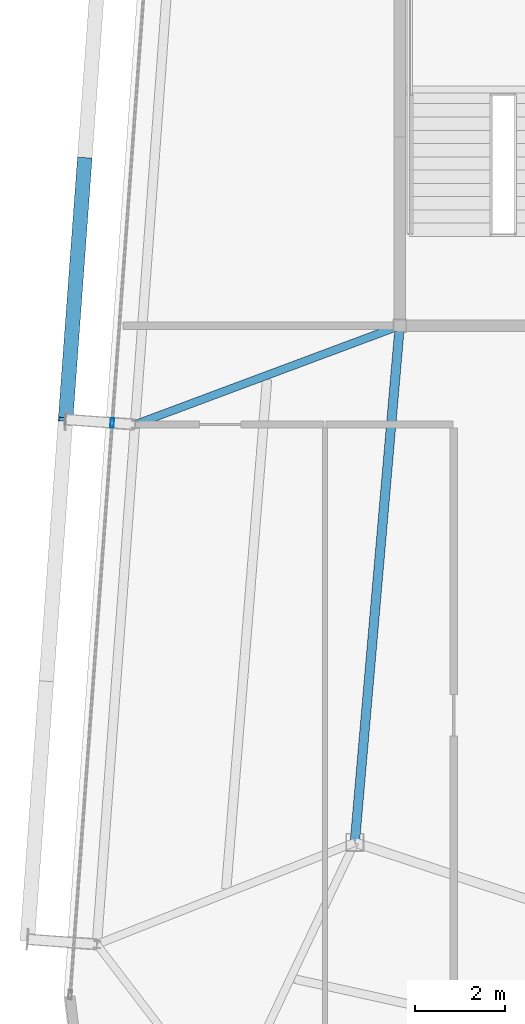
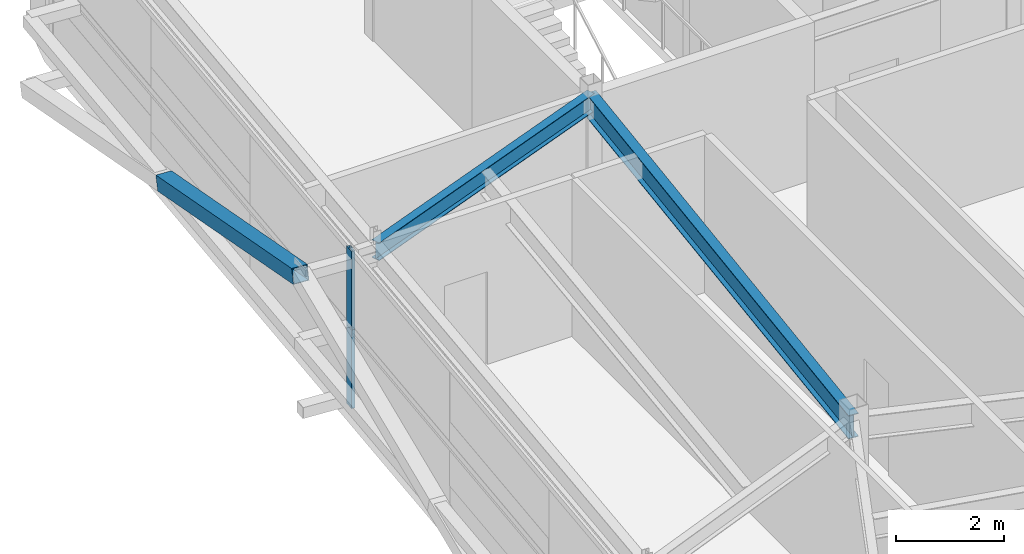
# One storey, part 13 of 35: 3 members, 2 beams, 2 elements without a shape of their own.
"""IFC4 building model written with IfcOpenShell, lengths in metres."""

from ifc_helpers import new_model, si_unit, direction, frame, origin, origin_2d, place, context, subcontext, project, spatial, hollow_rectangle, i_section, extrude, source, transform, mapped, material, layer, layer_set, material_profile, profile_set, type_object, element, aggregate, save


model = new_model("IFC4")

# Units and contexts
model_context = context("Model", 3, precision=1e-05, world=origin(), true_north=direction((0.0, 1.0)))
body_context = subcontext(model_context, "Body", "Model", "MODEL_VIEW")
ifc_project = project(units=[si_unit("LENGTHUNIT", "METRE"), si_unit("AREAUNIT", "SQUARE_METRE"), si_unit("VOLUMEUNIT", "CUBIC_METRE"), si_unit("PLANEANGLEUNIT", "RADIAN"), si_unit("MASSUNIT", "GRAM", prefix="KILO")], contexts=[model_context])

# Site, building, storey
site_placement = place(None, origin())
site = spatial("IfcSite", under=ifc_project, at=site_placement, CompositionType="ELEMENT")
building_placement = place(site_placement, origin())
building = spatial("IfcBuilding", under=site, at=building_placement, Name="Taldren Reach Tower", CompositionType="ELEMENT")
storey_placement = place(building_placement, frame((0.0, 0.0, 249.199951171875)))
storey = spatial("IfcBuildingStorey", under=building, at=storey_placement, Name="L76", CompositionType="ELEMENT", Elevation=249.199951171875)

# Beams
ifc_material_1 = material(Name="Steel Gr 350 (350PLUS)", Category="steel")
ifc_material_profile_1 = material_profile(ifc_material_1, i_section(OverallWidth=0.208984375, OverallDepth=0.532958984375, WebThickness=0.01025390625, FlangeThickness=0.015625, at=origin_2d()), Name="530UB92.4")
ifc_profile_set_1 = profile_set([ifc_material_profile_1], Name="Steel Gr 350 (350PLUS)")
beam_type_1 = type_object("IfcBeamType", Name="BM-UB530A", PredefinedType="BEAM", material=ifc_profile_set_1)
shared_shape_1 = source(origin(), body_context, "Body", "SweptSolid", [
    extrude(i_section(OverallWidth=0.208984375, OverallDepth=0.532958984375, WebThickness=0.01025390625, FlangeThickness=0.015625, at=origin_2d()), origin(), (0.0, 0.0, 1.0), 11.54345703125),
])
beam_1_placement = place(storey_placement, frame((19.0, 24.0, 3.303466796875), z_axis=(-0.086629616365, -0.996240588196, 0.0), x_axis=(0.996240588196, -0.086629616365, 0.0)))
element("IfcBeam", 1, at=beam_1_placement, inside=storey, type_object=beam_type_1, Name="Core-spine girder L76-SP09", PredefinedType="BEAM", context=body_context, shape_type="MappedRepresentation", body=[
    mapped(shared_shape_1, transform((0.0, 0.0, 0.0), scale=1.0)),
])
ifc_material_profile_2 = material_profile(ifc_material_1, i_section(OverallWidth=0.177978515625, OverallDepth=0.406005859375, WebThickness=0.0078125, FlangeThickness=0.0126953125, at=origin_2d()), Name="410UB59.7")
ifc_profile_set_2 = profile_set([ifc_material_profile_2], Name="Steel Gr 350 (350PLUS)")
beam_type_2 = type_object("IfcBeamType", Name="BM-UB410", PredefinedType="BEAM", material=ifc_profile_set_2)
shared_shape_2 = source(origin(), body_context, "Body", "SweptSolid", [
    extrude(i_section(OverallWidth=0.177978515625, OverallDepth=0.406005859375, WebThickness=0.0078125, FlangeThickness=0.0126953125, at=origin_2d()), origin(), (0.0, 0.0, 1.0), 6.28857421875),
])
beam_2_placement = place(storey_placement, frame((19.0, 24.0, 3.366943359375), z_axis=(-0.936827605945, -0.349791418904, 0.0), x_axis=(0.349791418904, -0.936827605945, 0.0)))
element("IfcBeam", 2, at=beam_2_placement, inside=storey, type_object=beam_type_2, Name="Primary floor girder B5-W2 L76", PredefinedType="BEAM", context=body_context, shape_type="MappedRepresentation", body=[
    mapped(shared_shape_2, transform((0.0, 0.0, 0.0), scale=1.0)),
])

# Member
ifc_material_2 = material(Name="Steel Gr 450 (C450L0)", Category="steel")
ifc_material_profile_3 = material_profile(ifc_material_2, hollow_rectangle(XDim=0.324951171875, YDim=0.324951171875, WallThickness=0.0126953125, at=origin_2d()), Name="325x325x12.7SHS")
ifc_profile_set_3 = profile_set([ifc_material_profile_3], Name="Steel Gr 450 (C450L0)")
member_type_1 = type_object("IfcMemberType", Name="MB-BR324", PredefinedType="BRACE", material=ifc_profile_set_3)
shared_shape_3 = source(origin(), body_context, "Body", "SweptSolid", [
    extrude(hollow_rectangle(XDim=0.324951171875, YDim=0.324951171875, WallThickness=0.0126953125, at=origin_2d()), origin(), (0.0, 0.0, 1.0), 5.999755859375),
])
member_1_placement = place(storey_placement, frame((11.987548828125, 27.6982421875, 1.755126953125), z_axis=(-0.070804741284, -0.964124560479, 0.255832993362), x_axis=(0.997314185625, -0.073242167855, 0.0)))
element("IfcMember", 3, at=member_1_placement, inside=storey, type_object=member_type_1, Name="Exoskeleton Diagrid Brace B5-W2 L76", PredefinedType="BRACE", context=body_context, shape_type="MappedRepresentation", body=[
    mapped(shared_shape_3, transform((0.0, 0.0, 0.0), scale=1.0)),
])

# Curtain wall, member
ifc_material_3 = material(Name="Aluminium and Low-E Glass Unitised System", Category="aluminium")
ifc_layer = layer(ifc_material_3, 0.159912109375)
ifc_layer_set = layer_set([ifc_layer], Name="Aluminium and Low-E Glass Unitised System")
curtain_wall_type = type_object("IfcCurtainWallType", Name="CW-SYS-6", PredefinedType="NOTDEFINED", material=ifc_layer_set)
curtain_wall_1_placement = place(storey_placement, origin())
curtain_wall_1 = element("IfcCurtainWall", 4, at=curtain_wall_1_placement, inside=storey, type_object=curtain_wall_type, Name="Unitised curtain wall CW-L76-W", PredefinedType="NOTDEFINED")
ifc_material_4 = material(Name="Anodised Aluminium 6063-T6", Category="aluminium")
ifc_material_profile_4 = material_profile(ifc_material_4, hollow_rectangle(XDim=0.074951171875, YDim=0.2099609375, WallThickness=0.00439453125, at=origin_2d()), Name="ALU-210x75x4.5RHS")
ifc_profile_set_4 = profile_set([ifc_material_profile_4], Name="Anodised Aluminium 6063-T6")
member_type_2 = type_object("IfcMemberType", Name="CW-MUL-200", PredefinedType="MULLION", material=ifc_profile_set_4)
shared_shape_4 = source(origin(), body_context, "Body", "SweptSolid", [
    extrude(hollow_rectangle(XDim=0.074951171875, YDim=0.2099609375, WallThickness=0.00439453125, at=origin_2d()), origin(), (0.0, 0.0, 1.0), 1.78515625),
])
member_2_placement = place(storey_placement, frame((12.60009765625, 21.837646484375, 0.0), z_axis=(0.0, 0.0, 1.0), x_axis=(0.997314470951, -0.073238282558, 0.0)))
member_2 = element("IfcMember", 5, at=member_2_placement, type_object=member_type_2, Name="CW-6 mullion 2", PredefinedType="MULLION", context=body_context, shape_type="MappedRepresentation", body=[
    mapped(shared_shape_4, transform((0.0, 0.0, 0.0), scale=1.0)),
])
aggregate(curtain_wall_1, [member_2])

curtain_wall_2_placement = place(storey_placement, origin())
curtain_wall_2 = element("IfcCurtainWall", 6, at=curtain_wall_2_placement, inside=storey, type_object=curtain_wall_type, Name="Unitised curtain wall CW-L76-W-T2", PredefinedType="NOTDEFINED")
shared_shape_5 = source(origin(), body_context, "Body", "SweptSolid", [
    extrude(hollow_rectangle(XDim=0.074951171875, YDim=0.2099609375, WallThickness=0.00439453125, at=origin_2d()), origin(), (0.0, 0.0, 1.0), 1.784912109375),
])
member_3_placement = place(storey_placement, frame((12.60009765625, 21.837646484375, 1.78515625), z_axis=(0.0, 0.0, 1.0), x_axis=(0.997314470951, -0.073238282558, 0.0)))
member_3 = element("IfcMember", 7, at=member_3_placement, type_object=member_type_2, Name="CW-6 mullion 2", PredefinedType="MULLION", context=body_context, shape_type="MappedRepresentation", body=[
    mapped(shared_shape_5, transform((0.0, 0.0, 0.0), scale=1.0)),
])
aggregate(curtain_wall_2, [member_3])

save(model, "model.ifc")
